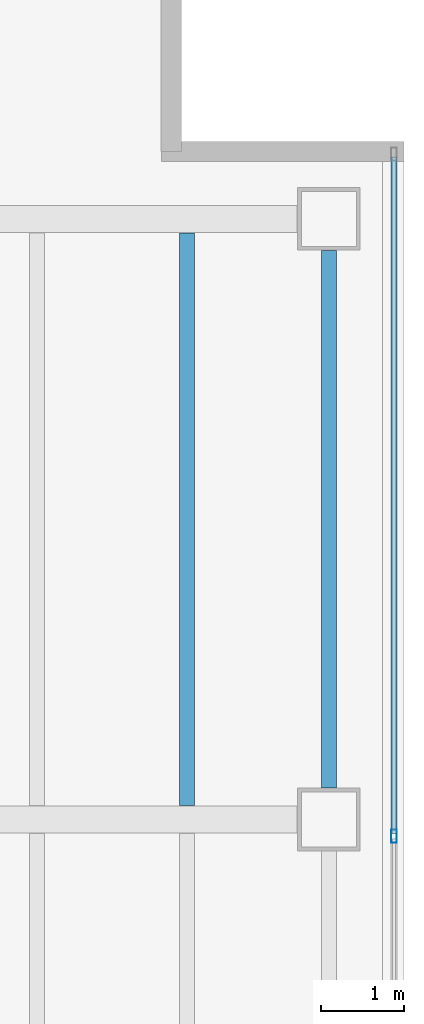
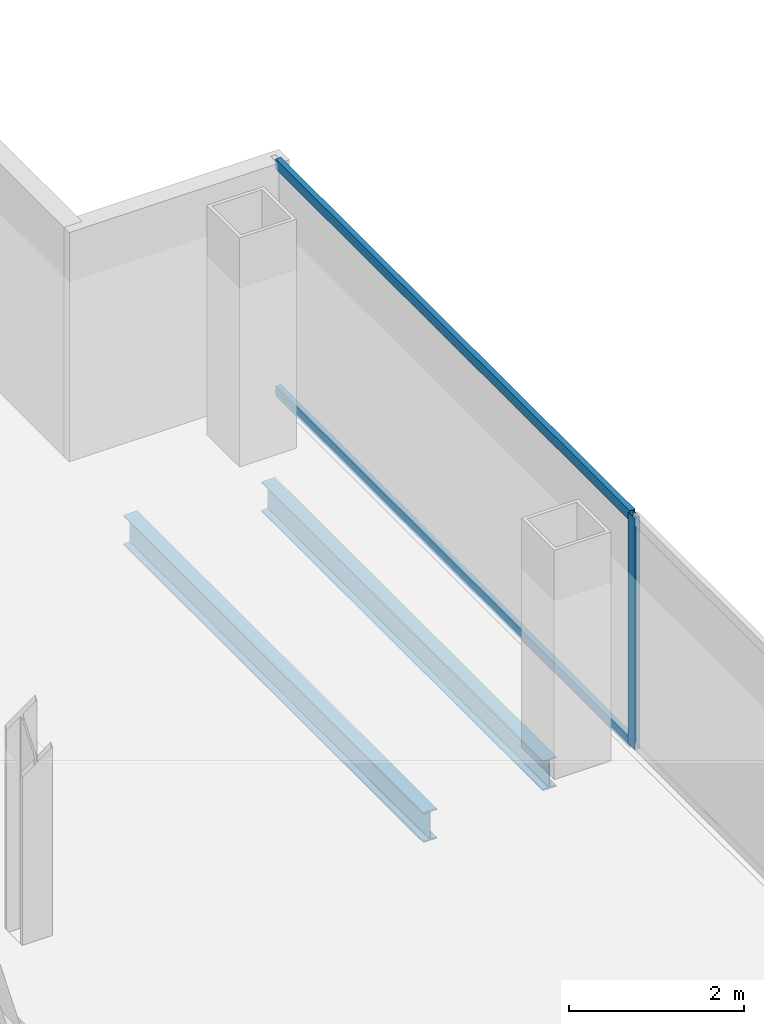
# One storey, part 14 of 23: 3 members, 2 beams, 1 element without a shape of its own.
"""IFC4 building model written with IfcOpenShell, lengths in metres."""

import ifcopenshell
import ifcopenshell.guid

model = None  # the IFC model being written
_history = None  # IfcOwnerHistory: only IFC2X3 demands one
_inside = {}  # id of a spatial element -> (the spatial element, [elements in it])
_under = {}  # id of a project, library or spatial element -> (it, [spatial elements below it])
_declared = {}  # id of a project -> (the project, [libraries it declares])
_typed = {}  # id of a type object -> (the type object, [elements of that type])
_made_of = {}  # id of a material, layer set ... -> (it, [elements and type objects made of it])


def new_model(schema):
    """Start an empty IFC model of exactly this schema.

    Asked for "IFC4X3", IfcOpenShell would pick the latest addendum, in which some entities
    have other attributes; the version numbers below select the first issue.
    IFC2X3 requires an IfcOwnerHistory on every rooted entity: one is made here for all.
    """
    global model, _history
    if schema == "IFC4X3":
        model = ifcopenshell.file(schema_version=(4, 3, 0, 0))
    else:
        model = ifcopenshell.file(schema=schema)
    _inside.clear()
    _under.clear()
    _declared.clear()
    _typed.clear()
    _made_of.clear()
    _history = None
    if model.schema == "IFC2X3":
        org = make("IfcOrganization", Name="unknown")
        user = make(
            "IfcPersonAndOrganization",
            ThePerson=make("IfcPerson", FamilyName="unknown"),
            TheOrganization=org,
        )
        app = make(
            "IfcApplication",
            ApplicationDeveloper=org,
            Version="unknown",
            ApplicationFullName="unknown",
            ApplicationIdentifier="unknown",
        )
        _history = make(
            "IfcOwnerHistory",
            OwningUser=user,
            OwningApplication=app,
            ChangeAction="ADDED",
            CreationDate=0,
        )
    return model


def make(cls, **values):
    """One entity of the class cls with the attributes given. An attribute that is None is left unset."""
    return model.create_entity(
        cls, **{name: value for name, value in values.items() if value is not None}
    )


def rooted(cls, **values):
    """An entity with a GlobalId (a new one), such as an element, a storey or a relation."""
    return make(cls, GlobalId=ifcopenshell.guid.new(), OwnerHistory=_history, **values)


def si_unit(unit_type, name, prefix=None):
    """IfcSIUnit, for example si_unit("LENGTHUNIT", "METRE", prefix="MILLI")."""
    return make("IfcSIUnit", UnitType=unit_type, Prefix=prefix, Name=name)


def assignment(units):
    """IfcUnitAssignment: the units of a project."""
    return None if units is None else make("IfcUnitAssignment", Units=units)


def point(xyz):
    """IfcCartesianPoint."""
    return None if xyz is None else make("IfcCartesianPoint", Coordinates=xyz)


def direction(xyz):
    """IfcDirection."""
    return None if xyz is None else make("IfcDirection", DirectionRatios=xyz)


def frame(location, z_axis=None, x_axis=None):
    """IfcAxis2Placement3D, a coordinate frame: its origin and axes. An axis left out is left unset."""
    return make(
        "IfcAxis2Placement3D",
        Location=point(location),
        Axis=direction(z_axis),
        RefDirection=direction(x_axis),
    )


def frame_2d(location, x_axis=None):
    """IfcAxis2Placement2D, a coordinate frame in the plane: its origin and x axis."""
    return make(
        "IfcAxis2Placement2D", Location=point(location), RefDirection=direction(x_axis)
    )


def origin():
    """The frame at (0, 0, 0) with its axes left unset."""
    return frame((0.0, 0.0, 0.0))


def origin_2d():
    """The frame at (0, 0) in the plane with its x axis left unset."""
    return frame_2d((0.0, 0.0))


def place(relative_to, where):
    """IfcLocalPlacement: puts the frame where relative to a parent placement (None: the world)."""
    return make(
        "IfcLocalPlacement", PlacementRelTo=relative_to, RelativePlacement=where
    )


def context(
    kind, dimensions, precision=None, world=None, true_north=None, identifier=None
):
    """IfcGeometricRepresentationContext, for example the 3D "Model" context."""
    return make(
        "IfcGeometricRepresentationContext",
        ContextIdentifier=identifier,
        ContextType=kind,
        CoordinateSpaceDimension=dimensions,
        Precision=precision,
        WorldCoordinateSystem=world,
        TrueNorth=true_north,
    )


def subcontext(parent, identifier, kind, view, scale=None):
    """IfcGeometricRepresentationSubContext, for example "Body" below "Model"."""
    return make(
        "IfcGeometricRepresentationSubContext",
        ContextIdentifier=identifier,
        ContextType=kind,
        ParentContext=parent,
        TargetScale=scale,
        TargetView=view,
    )


def project(units=None, contexts=None):
    """IfcProject with its units and contexts."""
    return rooted(
        "IfcProject",
        Name="project",
        RepresentationContexts=contexts,
        UnitsInContext=assignment(units),
    )


def spatial(cls, under=None, at=None, **own):
    """A site, building, storey or space (cls), placed at a placement, below another one or the project."""
    s = rooted(cls, ObjectPlacement=at, **own)
    if under is not None:
        _under.setdefault(under.id(), (under, []))[1].append(s)
    return s


def profile(cls, at=None, kind="AREA", **sizes):
    """A parametric profile (cls). Its sizes go by their IFC names, for example OverallWidth=200.0."""
    return make(cls, ProfileType=kind, Position=at, **sizes)


def hollow_rectangle(**sizes):
    """IfcRectangleHollowProfileDef."""
    return profile("IfcRectangleHollowProfileDef", **sizes)


def i_section(**sizes):
    """IfcIShapeProfileDef."""
    return profile("IfcIShapeProfileDef", **sizes)


def extrude(swept, where, along, depth):
    """IfcExtrudedAreaSolid: the profile swept, set in the frame where, extruded along a direction by depth."""
    return make(
        "IfcExtrudedAreaSolid",
        SweptArea=swept,
        Position=where,
        ExtrudedDirection=direction(along),
        Depth=depth,
    )


def shape(context_of_items, identifier, shape_type, items):
    """IfcShapeRepresentation: the items that make up one representation, for example the "Body"."""
    return make(
        "IfcShapeRepresentation",
        ContextOfItems=context_of_items,
        RepresentationIdentifier=identifier,
        RepresentationType=shape_type,
        Items=items,
    )


def material(Name=None, Category=None):
    """IfcMaterial."""
    return make("IfcMaterial", Name=Name, Category=Category)


def material_profile(
    of_material, cross_section, Name=None, Category=None, Priority=None
):
    """IfcMaterialProfile: a cross section and its material."""
    return make(
        "IfcMaterialProfile",
        Name=Name,
        Material=of_material,
        Profile=cross_section,
        Priority=Priority,
        Category=Category,
    )


def profile_set(profiles, Name=None, composite=None):
    """IfcMaterialProfileSet."""
    return make(
        "IfcMaterialProfileSet",
        Name=Name,
        MaterialProfiles=profiles,
        CompositeProfile=composite,
    )


def made_of(thing, what):
    """Note that an element or type object is made of a material, layer set ...; save() writes the relation."""
    if what is not None:
        _made_of.setdefault(what.id(), (what, []))[1].append(thing)
    return thing


def type_object(cls, material=None, **own):
    """A type object (cls), such as IfcWallType, which elements share."""
    return made_of(rooted(cls, **own), material)


def element(
    cls,
    number,
    at=None,
    inside=None,
    cuts=None,
    type_object=None,
    material=None,
    context=None,
    identifier="Body",
    shape_type=None,
    held_by="IfcProductDefinitionShape",
    body=None,
    shapes=None,
    **own,
):
    """One element of the class cls, such as IfcWall. Its Tag is "e" and its number.

    at: its placement. inside: the storey or other place that contains it. cuts: it is an
    opening in that element (IfcRelVoidsElement). A single representation is given by context,
    identifier, shape_type and body (its items); several are given by shapes. held_by: the class
    of the entity that holds the representations. save() writes the other relations.
    """
    e = rooted(cls, Tag="e%d" % number, ObjectPlacement=at, **own)
    if body is not None:
        shapes = [shape(context, identifier, shape_type, body)]
    if shapes is not None:
        e.Representation = make(held_by, Representations=shapes)
    if inside is not None:
        _inside.setdefault(inside.id(), (inside, []))[1].append(e)
    if cuts is not None:
        rooted(
            "IfcRelVoidsElement", RelatingBuildingElement=cuts, RelatedOpeningElement=e
        )
    if type_object is not None:
        _typed.setdefault(type_object.id(), (type_object, []))[1].append(e)
    return made_of(e, material)


def aggregate(whole, parts):
    """IfcRelAggregates: a whole, such as a stair, and the parts it consists of."""
    return rooted("IfcRelAggregates", RelatingObject=whole, RelatedObjects=parts)


def save(model, path):
    """Write the relations noted so far, then the file.

    IfcRelAggregates (storeys below a building ...), IfcRelContainedInSpatialStructure (elements
    in a storey), IfcRelDefinesByType, IfcRelAssociatesMaterial and IfcRelDeclares: one each for
    every whole, place, type object, material and project.
    """
    for whole, parts in _under.values():
        aggregate(whole, parts)
    for where, things in _inside.values():
        rooted(
            "IfcRelContainedInSpatialStructure",
            RelatedElements=things,
            RelatingStructure=where,
        )
    for kind, things in _typed.values():
        rooted("IfcRelDefinesByType", RelatedObjects=things, RelatingType=kind)
    for what, things in _made_of.values():
        rooted("IfcRelAssociatesMaterial", RelatedObjects=things, RelatingMaterial=what)
    for by, libraries in _declared.values():
        rooted("IfcRelDeclares", RelatingContext=by, RelatedDefinitions=libraries)
    model.write(path)


model = new_model("IFC4")

# Units and contexts
model_context = context("Model", 3, precision=1e-05, world=origin(), true_north=direction((0.0, 1.0)))
body_context = subcontext(model_context, "Body", "Model", "MODEL_VIEW")
ifc_project = project(units=[si_unit("LENGTHUNIT", "METRE"), si_unit("AREAUNIT", "SQUARE_METRE"), si_unit("VOLUMEUNIT", "CUBIC_METRE"), si_unit("PLANEANGLEUNIT", "RADIAN"), si_unit("MASSUNIT", "GRAM", prefix="KILO")], contexts=[model_context])

# Site, building, storey
site_placement = place(None, origin())
site = spatial("IfcSite", under=ifc_project, at=site_placement, CompositionType="ELEMENT")
building_placement = place(site_placement, origin())
building = spatial("IfcBuilding", under=site, at=building_placement, Name="Cobrela Telecom Tower", CompositionType="ELEMENT")
storey_placement = place(building_placement, frame((0.0, 0.0, 218.75)))
storey = spatial("IfcBuildingStorey", under=building, at=storey_placement, Name="L56", CompositionType="ELEMENT", Elevation=218.75)

# Beams
ifc_material_1 = material(Name="Steel ASTM A992 Grade 50", Category="steel")
ifc_material_profile_1 = material_profile(ifc_material_1, i_section(OverallWidth=0.179931640625, OverallDepth=0.4169921875, WebThickness=0.010986328125, FlangeThickness=0.01806640625, FilletRadius=0.011962890625, at=origin_2d()), Name="W16X57")
ifc_profile_set_1 = profile_set([ifc_material_profile_1], Name="Steel ASTM A992 Grade 50")
beam_type_1 = type_object("IfcBeamType", Name="BM-JOIST-04", PredefinedType="JOIST", material=ifc_profile_set_1)
beam_1_placement = place(storey_placement, frame((41.39990234375, 14.5673828125, -0.468505859375), z_axis=(0.0, 1.0, 0.0), x_axis=(-1.0, 0.0, 0.0)))
element("IfcBeam", 1, at=beam_1_placement, inside=storey, type_object=beam_type_1, Name="L56 Secondary Composite Floor Beam J30", PredefinedType="JOIST", context=body_context, shape_type="SweptSolid", body=[
    extrude(i_section(OverallWidth=0.179931640625, OverallDepth=0.4169921875, WebThickness=0.010986328125, FlangeThickness=0.01806640625, FilletRadius=0.011962890625, at=origin_2d()), origin(), (0.0, 0.0, 1.0), 6.865234375),
])
ifc_material_profile_2 = material_profile(ifc_material_1, i_section(OverallWidth=0.179931640625, OverallDepth=0.4169921875, WebThickness=0.010986328125, FlangeThickness=0.01806640625, FilletRadius=0.011962890625, at=origin_2d()), Name="W16X57")
ifc_profile_set_2 = profile_set([ifc_material_profile_2], Name="Steel ASTM A992 Grade 50")
beam_type_2 = type_object("IfcBeamType", Name="BM-SPAND-06", PredefinedType="SPANDREL", material=ifc_profile_set_2)
beam_2_placement = place(storey_placement, frame((43.10009765625, 14.780029296875, -0.468505859375), z_axis=(0.0, 1.0, 0.0), x_axis=(-1.0, 0.0, 0.0)))
element("IfcBeam", 2, at=beam_2_placement, inside=storey, type_object=beam_type_2, Name="L56 Perimeter Spandrel Y43", PredefinedType="SPANDREL", context=body_context, shape_type="SweptSolid", body=[
    extrude(i_section(OverallWidth=0.179931640625, OverallDepth=0.4169921875, WebThickness=0.010986328125, FlangeThickness=0.01806640625, FilletRadius=0.011962890625, at=origin_2d()), origin(), (0.0, 0.0, 1.0), 6.43994140625),
])

# Curtain wall, members
ifc_material_2 = material(Name="Anodized Bronze Aluminium 6063-T6", Category="aluminium")
curtain_wall_type = type_object("IfcCurtainWallType", Name="CW-SYS-OFF-LO", PredefinedType="USERDEFINED", material=ifc_material_2)
curtain_wall_placement = place(storey_placement, origin())
curtain_wall = element("IfcCurtainWall", 3, at=curtain_wall_placement, inside=storey, type_object=curtain_wall_type, Name="L56 Unitised Bronze Curtain Wall 14", ObjectType="UNITISED CURTAIN WALL", PredefinedType="USERDEFINED")
ifc_material_profile_3 = material_profile(ifc_material_2, hollow_rectangle(XDim=0.070068359375, YDim=0.159912109375, WallThickness=0.00390625, at=origin_2d()), Name="ALU 70x160x4")
ifc_profile_set_3 = profile_set([ifc_material_profile_3], Name="Anodized Bronze Aluminium 6063-T6")
member_type_1 = type_object("IfcMemberType", Name="CW-SYS-OFF-LO-MUL", PredefinedType="MULLION", material=ifc_profile_set_3)
member_1_placement = place(storey_placement, frame((43.8798828125, 14.199951171875, 0.0), z_axis=(0.0, 0.0, 1.0), x_axis=(1.0, 0.0, 0.0)))
member_1 = element("IfcMember", 4, at=member_1_placement, type_object=member_type_1, Name="CW-OFF-LO mullion 2", PredefinedType="MULLION", context=body_context, shape_type="SweptSolid", body=[
    extrude(hollow_rectangle(XDim=0.070068359375, YDim=0.159912109375, WallThickness=0.00390625, at=origin_2d()), origin(), (0.0, 0.0, 1.0), 3.239990234375),
])
ifc_material_profile_4 = material_profile(ifc_material_2, hollow_rectangle(XDim=0.070068359375, YDim=0.139892578125, WallThickness=0.00390625, at=origin_2d()), Name="ALU 70x140x4")
ifc_profile_set_4 = profile_set([ifc_material_profile_4], Name="Anodized Bronze Aluminium 6063-T6")
member_type_2 = type_object("IfcMemberType", Name="CW-SYS-OFF-LO-TRN", PredefinedType="USERDEFINED", material=ifc_profile_set_4)
member_2_placement = place(storey_placement, frame((43.8798828125, 22.340087890625, 0.034912109375), z_axis=(0.0, -1.0, 0.0), x_axis=(1.0, 0.0, 0.0)))
member_2 = element("IfcMember", 5, at=member_2_placement, type_object=member_type_2, Name="CW-OFF-LO transom 1.1", ObjectType="TRANSOM", PredefinedType="USERDEFINED", context=body_context, shape_type="SweptSolid", body=[
    extrude(hollow_rectangle(XDim=0.070068359375, YDim=0.139892578125, WallThickness=0.00390625, at=origin_2d()), origin(), (0.0, 0.0, 1.0), 8.10498046875),
])
member_3_placement = place(storey_placement, frame((43.8798828125, 22.340087890625, 3.205078125), z_axis=(0.0, -1.0, 0.0), x_axis=(1.0, 0.0, 0.0)))
member_3 = element("IfcMember", 6, at=member_3_placement, type_object=member_type_2, Name="CW-OFF-LO transom 1.2", ObjectType="TRANSOM", PredefinedType="USERDEFINED", context=body_context, shape_type="SweptSolid", body=[
    extrude(hollow_rectangle(XDim=0.070068359375, YDim=0.139892578125, WallThickness=0.00390625, at=origin_2d()), origin(), (0.0, 0.0, 1.0), 8.10498046875),
])
aggregate(curtain_wall, [member_1, member_2, member_3])

save(model, "model.ifc")
